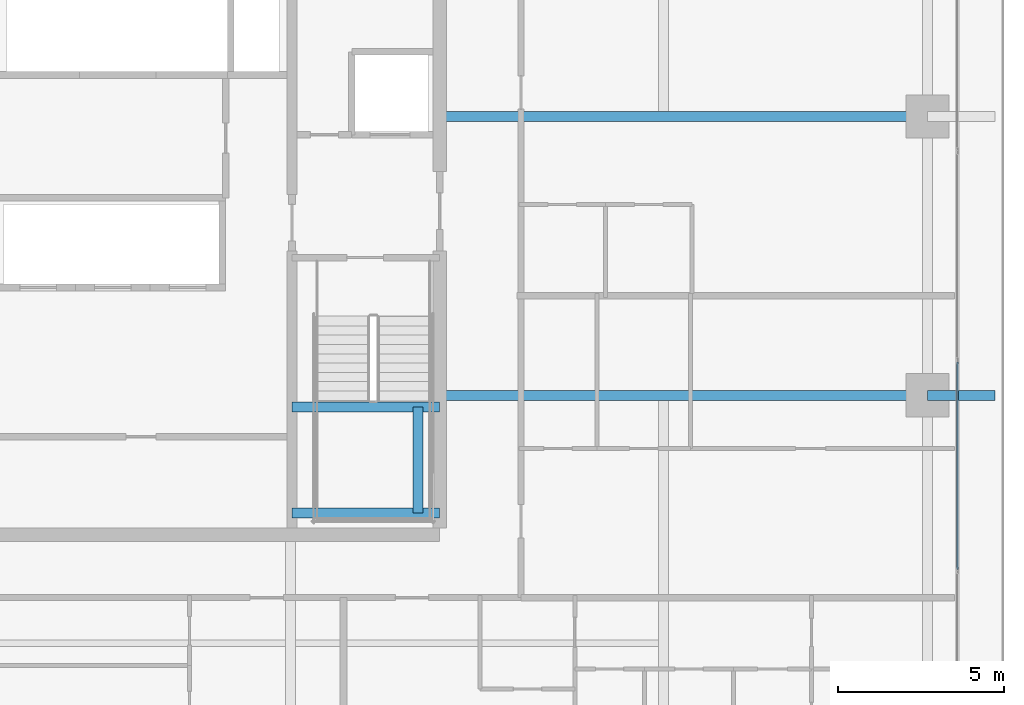
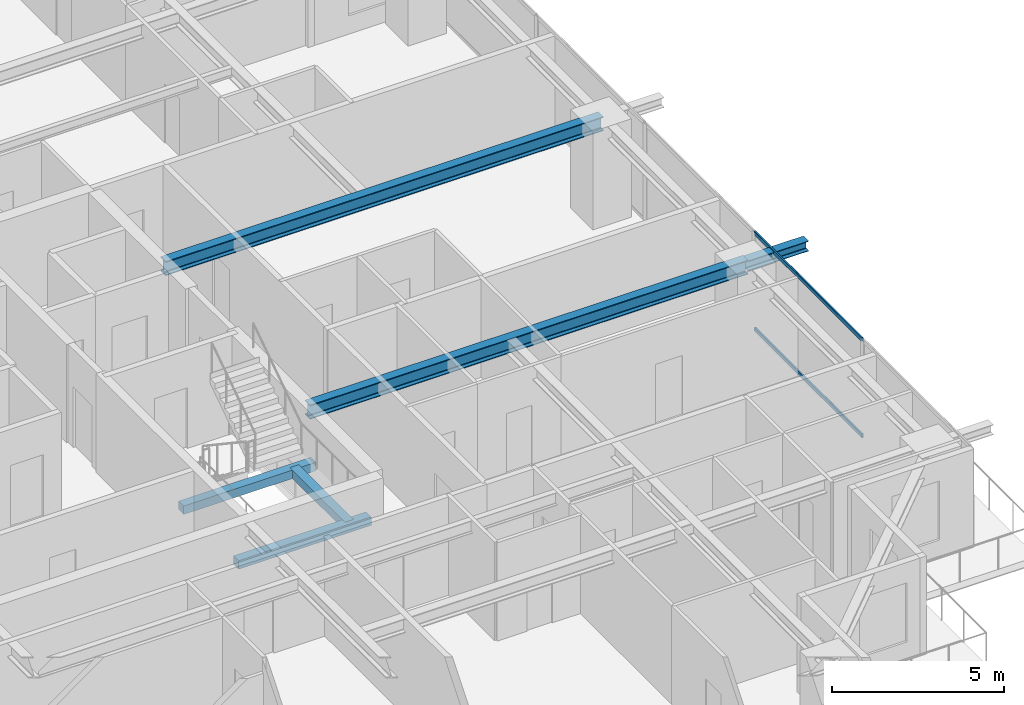
# One storey, part 15 of 38: 6 beams, 2 members, 1 element without a shape of its own.
"""IFC4 building model written with IfcOpenShell, lengths in metres."""

from ifc_helpers import new_model, si_unit, direction, frame, origin, origin_2d, place, context, subcontext, project, spatial, rectangle, hollow_rectangle, i_section, extrude, source, transform, mapped, material, layer, layer_set, material_profile, profile_set, type_object, element, aggregate, save


model = new_model("IFC4")

# Units and contexts
model_context = context("Model", 3, precision=1e-05, world=origin(), true_north=direction((0.0, 1.0)))
body_context = subcontext(model_context, "Body", "Model", "MODEL_VIEW")
ifc_project = project(units=[si_unit("LENGTHUNIT", "METRE"), si_unit("AREAUNIT", "SQUARE_METRE"), si_unit("VOLUMEUNIT", "CUBIC_METRE"), si_unit("PLANEANGLEUNIT", "RADIAN"), si_unit("MASSUNIT", "GRAM", prefix="KILO")], contexts=[model_context])

# Site, building, storey
site_placement = place(None, origin())
site = spatial("IfcSite", under=ifc_project, at=site_placement, CompositionType="ELEMENT")
building_placement = place(site_placement, origin())
building = spatial("IfcBuilding", under=site, at=building_placement, Name="Serunith Strait Residences", CompositionType="ELEMENT")
storey_placement = place(building_placement, frame((0.0, 0.0, 183.89990234375)))
storey = spatial("IfcBuildingStorey", under=building, at=storey_placement, Name="L46", CompositionType="ELEMENT", Elevation=183.89990234375)

# Beams
ifc_material_1 = material(Name="Steel S355J2", Category="steel")
ifc_material_profile_1 = material_profile(ifc_material_1, i_section(OverallWidth=0.300048828125, OverallDepth=0.5, WebThickness=0.014404296875, FlangeThickness=0.028076171875, FilletRadius=0.027099609375, at=origin_2d()), Name="HEB 500")
ifc_profile_set_1 = profile_set([ifc_material_profile_1], Name="Steel S355J2")
beam_type_1 = type_object("IfcBeamType", Name="BM-HEB500", PredefinedType="BEAM", material=ifc_profile_set_1)
shared_shape_1 = source(origin(), body_context, "Body", "SweptSolid", [
    extrude(i_section(OverallWidth=0.300048828125, OverallDepth=0.5, WebThickness=0.014404296875, FlangeThickness=0.028076171875, FilletRadius=0.027099609375, at=origin_2d()), origin(), (0.0, 0.0, 1.0), 14.7001953125),
])
for number, where, z_axis, x_axis, name in (
    (1, (41.39990234375, 21.0, 3.237060546875), (1.0, 0.0, 0.0), (0.0, 1.0, 0.0), "L46 Primary Floor Girder TC-E2"),
    (2, (41.39990234375, 29.39990234375, 3.237060546875), (1.0, 0.0, 0.0), (0.0, 1.0, 0.0), "L46 Primary Floor Girder TC-E3"),
):
    element("IfcBeam", number, at=place(storey_placement, frame(where, z_axis=z_axis, x_axis=x_axis)), inside=storey, type_object=beam_type_1, Name=name, PredefinedType="BEAM", context=body_context, shape_type="MappedRepresentation", body=[
        mapped(shared_shape_1, transform((0.0, 0.0, 0.0), scale=1.0)),
    ])
ifc_material_profile_2 = material_profile(ifc_material_1, i_section(OverallWidth=0.300048828125, OverallDepth=0.360107421875, WebThickness=0.012451171875, FlangeThickness=0.0224609375, FilletRadius=0.027099609375, at=origin_2d()), Name="HEB 360")
ifc_profile_set_2 = profile_set([ifc_material_profile_2], Name="Steel S355J2")
beam_type_2 = type_object("IfcBeamType", Name="BM-HEB360", PredefinedType="BEAM", material=ifc_profile_set_2)
shared_shape_2 = source(origin(), body_context, "Body", "SweptSolid", [
    extrude(i_section(OverallWidth=0.300048828125, OverallDepth=0.360107421875, WebThickness=0.012451171875, FlangeThickness=0.0224609375, FilletRadius=0.027099609375, at=origin_2d()), origin(), (0.0, 0.0, 1.0), 2.02978515625),
])
beam_1_placement = place(storey_placement, frame((56.10009765625, 21.0, 3.277099609375), z_axis=(1.0, 0.0, 0.0), x_axis=(0.0, 1.0, 0.0)))
element("IfcBeam", 3, at=beam_1_placement, inside=storey, type_object=beam_type_2, Name="L47 Cantilevered Balcony Rib TC-E2", PredefinedType="BEAM", context=body_context, shape_type="MappedRepresentation", body=[
    mapped(shared_shape_2, transform((0.0, 0.0, 0.0), scale=1.0)),
])
ifc_material_2 = material(Name="Concrete C60/75", Category="concrete")
ifc_material_profile_3 = material_profile(ifc_material_2, rectangle(XDim=0.300048828125, YDim=0.300048828125, at=origin_2d()), Name="RC 300x300")
ifc_profile_set_3 = profile_set([ifc_material_profile_3], Name="Concrete C60/75")
beam_type_3 = type_object("IfcBeamType", Name="BM-LAND-300x300", PredefinedType="BEAM", material=ifc_profile_set_3)
shared_shape_3 = source(origin(), body_context, "Body", "SweptSolid", [
    extrude(rectangle(XDim=0.300048828125, YDim=0.300048828125, at=origin_2d()), origin(), (0.0, 0.0, 1.0), 3.199951171875),
])
beam_2_placement = place(storey_placement, frame((40.75, 17.449951171875, 1.525146484375), z_axis=(0.0, 1.0, 0.0), x_axis=(-1.0, 0.0, 0.0)))
element("IfcBeam", 4, at=beam_2_placement, inside=storey, type_object=beam_type_3, Name="L46 ST-2 Landing Transverse Tie Beam", PredefinedType="BEAM", context=body_context, shape_type="MappedRepresentation", body=[
    mapped(shared_shape_3, transform((0.0, 0.0, 0.0), scale=1.0)),
])
shared_shape_4 = source(origin(), body_context, "Body", "SweptSolid", [
    extrude(rectangle(XDim=0.300048828125, YDim=0.300048828125, at=origin_2d()), origin(), (0.0, 0.0, 1.0), 4.449951171875),
])
for number, where, z_axis, x_axis, name in (
    (5, (36.949951171875, 17.449951171875, 1.525146484375), (1.0, 0.0, 0.0), (0.0, 1.0, 0.0), "L46 ST-2 Landing Support Beam 1"),
    (6, (36.949951171875, 20.64990234375, 1.525146484375), (1.0, 0.0, 0.0), (0.0, 1.0, 0.0), "L46 ST-2 Landing Support Beam 2"),
):
    element("IfcBeam", number, at=place(storey_placement, frame(where, z_axis=z_axis, x_axis=x_axis)), inside=storey, type_object=beam_type_3, Name=name, PredefinedType="BEAM", context=body_context, shape_type="MappedRepresentation", body=[
        mapped(shared_shape_4, transform((0.0, 0.0, 0.0), scale=1.0)),
    ])

# Curtain wall, members
ifc_material_3 = material(Name="Pale-Champagne Anodised Aluminium", Category="aluminium")
ifc_layer = layer(ifc_material_3, 0.199951171875, Name="Pale-Champagne Anodised Aluminium")
ifc_layer_set = layer_set([ifc_layer], Name="Pale-Champagne Anodised Aluminium")
curtain_wall_type = type_object("IfcCurtainWallType", Name="CW-SYS2", PredefinedType="NOTDEFINED", material=ifc_layer_set)
curtain_wall_placement = place(storey_placement, origin())
curtain_wall = element("IfcCurtainWall", 7, at=curtain_wall_placement, inside=storey, type_object=curtain_wall_type, Name="L46 E Unitised Fritted Curtain Wall", PredefinedType="NOTDEFINED")
ifc_material_profile_4 = material_profile(ifc_material_3, hollow_rectangle(XDim=0.06005859375, YDim=0.139892578125, WallThickness=0.00341796875, InnerFilletRadius=0.00537109375, OuterFilletRadius=0.0087890625, at=origin_2d()), Name="ALU 140x60x3.5")
ifc_profile_set_4 = profile_set([ifc_material_profile_4], Name="Pale-Champagne Anodised Aluminium")
member_type = type_object("IfcMemberType", Name="CW-SYS2-TRAN", PredefinedType="USERDEFINED", material=ifc_profile_set_4)
shared_shape_5 = source(origin(), body_context, "Body", "SweptSolid", [
    extrude(hollow_rectangle(XDim=0.06005859375, YDim=0.139892578125, WallThickness=0.00341796875, InnerFilletRadius=0.00537109375, OuterFilletRadius=0.0087890625, at=origin_2d()), origin(), (0.0, 0.0, 1.0), 6.25),
])
member_1_placement = place(storey_placement, frame((57.0, 15.7548828125, 0.030029296875), z_axis=(0.0, 1.0, 0.0), x_axis=(-1.0, 0.0, 0.0)))
member_1 = element("IfcMember", 8, at=member_1_placement, type_object=member_type, Name="CW-2 transom 2.1", ObjectType="TRANSOM", PredefinedType="USERDEFINED", context=body_context, shape_type="MappedRepresentation", body=[
    mapped(shared_shape_5, transform((0.0, 0.0, 0.0), scale=1.0)),
])
member_2_placement = place(storey_placement, frame((57.0, 15.7548828125, 3.445068359375), z_axis=(0.0, 1.0, 0.0), x_axis=(-1.0, 0.0, 0.0)))
member_2 = element("IfcMember", 9, at=member_2_placement, type_object=member_type, Name="CW-2 transom 2.2", ObjectType="TRANSOM", PredefinedType="USERDEFINED", context=body_context, shape_type="MappedRepresentation", body=[
    mapped(shared_shape_5, transform((0.0, 0.0, 0.0), scale=1.0)),
])
aggregate(curtain_wall, [member_1, member_2])

save(model, "model.ifc")
